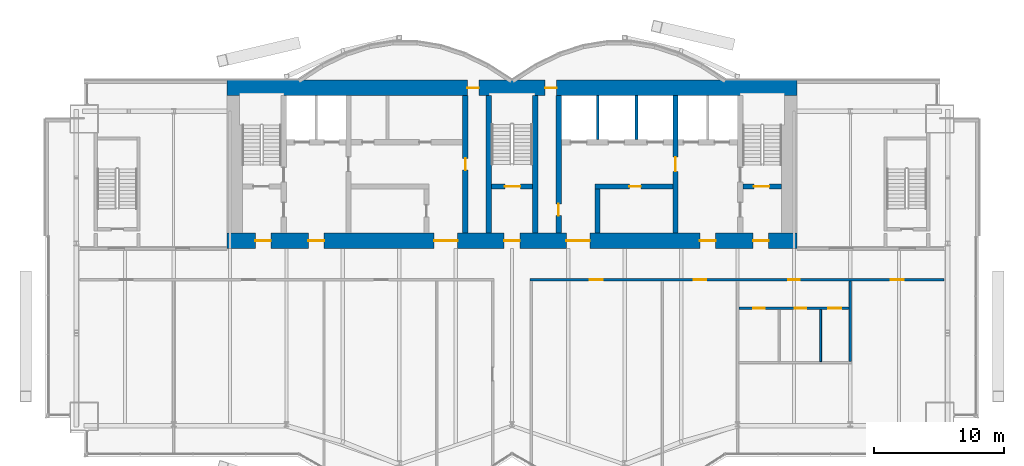
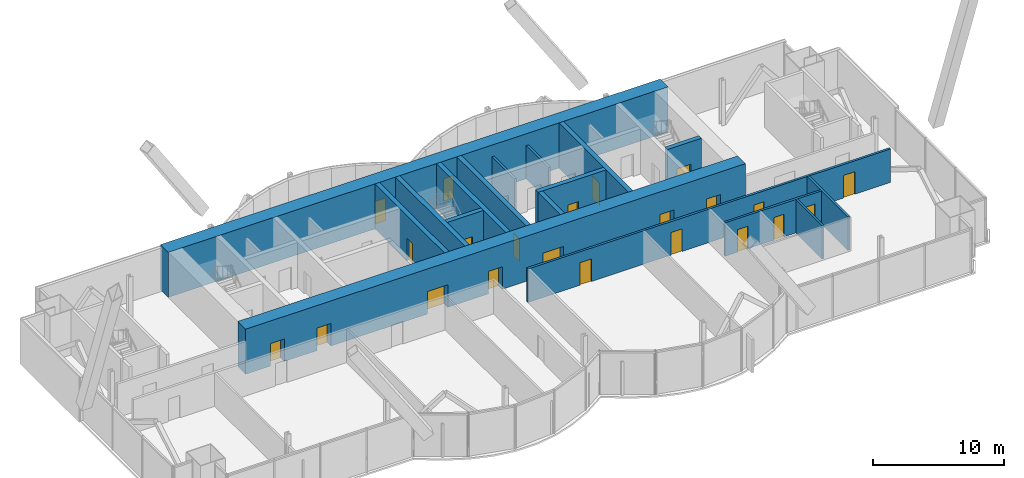
# One storey, part 18 of 23: 22 doors, 17 walls, 22 openings.
"""IFC4 building model written with IfcOpenShell, lengths in metres."""

from ifc_helpers import new_model, si_unit, direction, frame, frame_2d, origin, place, context, subcontext, project, spatial, rectangle, extrude, material, layer, layer_set, type_object, element, fill, save


model = new_model("IFC4")

# Units and contexts
model_context = context("Model", 3, precision=1e-05, world=origin(), true_north=direction((0.0, 1.0)))
body_context = subcontext(model_context, "Body", "Model", "MODEL_VIEW")
ifc_project = project(units=[si_unit("LENGTHUNIT", "METRE"), si_unit("AREAUNIT", "SQUARE_METRE"), si_unit("VOLUMEUNIT", "CUBIC_METRE"), si_unit("PLANEANGLEUNIT", "RADIAN"), si_unit("MASSUNIT", "GRAM", prefix="KILO")], contexts=[model_context])

# Site, building, storey
site_placement = place(None, origin())
site = spatial("IfcSite", under=ifc_project, at=site_placement, CompositionType="ELEMENT")
building_placement = place(site_placement, origin())
building = spatial("IfcBuilding", under=site, at=building_placement, Name="Bicima Exchange Tower", CompositionType="ELEMENT")
storey_placement = place(building_placement, frame((0.0, 0.0, 262.39990234375)))
storey = spatial("IfcBuildingStorey", under=building, at=storey_placement, Name="L59", CompositionType="ELEMENT", Elevation=262.39990234375)

# Walls
ifc_material_1 = material(Name="Gypsum board partition")
ifc_layer_1 = layer(ifc_material_1, 0.199951171875)
ifc_layer_set_1 = layer_set([ifc_layer_1], Name="Gypsum board partition")
wall_type_1 = type_object("IfcWallType", Name="Fire-rated gypsum partition 200 EI120", PredefinedType="PARTITIONING", material=ifc_layer_set_1)
for number, where, z_axis, x_axis, name in (
    (1, (6.60009765625, -4.60009765625, 0.0), (0.0, 0.0, 1.0), (0.0, 1.0, 0.0), "partition wall 18"),
    (2, (9.60009765625, -4.60009765625, 0.0), (0.0, 0.0, 1.0), (0.0, 1.0, 0.0), "partition wall 19"),
):
    element("IfcWall", number, at=place(storey_placement, frame(where, z_axis=z_axis, x_axis=x_axis)), inside=storey, type_object=wall_type_1, Name=name, PredefinedType="PARTITIONING", context=body_context, shape_type="SweptSolid", body=[
        extrude(rectangle(XDim=3.400146484375, YDim=0.199951171875, at=frame_2d((1.7001953125, 0.0))), origin(), (0.0, 0.0, 1.0), 3.118408203125),
    ])

# Wall, openings, doors
ifc_layer_2 = layer(ifc_material_1, 0.199951171875)
ifc_layer_set_2 = layer_set([ifc_layer_2], Name="Gypsum board partition")
wall_type_2 = type_object("IfcWallType", Name="Fire-rated gypsum partition 200 EI60", PredefinedType="PARTITIONING", material=ifc_layer_set_2)
wall_1_placement = place(storey_placement, frame((17.5, -17.60009765625, 0.0), z_axis=(0.0, 0.0, 1.0), x_axis=(1.0, 0.0, 0.0)))
wall_1 = element("IfcWall", 3, at=wall_1_placement, inside=storey, type_object=wall_type_2, Name="partition wall 2", PredefinedType="PARTITIONING", context=body_context, shape_type="SweptSolid", body=[
    extrude(rectangle(XDim=8.5, YDim=0.199951171875, at=frame_2d((4.25, 0.0))), origin(), (0.0, 0.0, 1.0), 3.118408203125),
])
opening_1_placement = place(wall_1_placement, frame((1.10009765625, 0.0, 0.0)))
opening_1 = element("IfcOpeningElement", 4, at=opening_1_placement, cuts=wall_1, Name="Opening L59-014", PredefinedType="OPENING", context=body_context, shape_type="SweptSolid", body=[
    extrude(rectangle(XDim=0.89990234375, YDim=2.10009765625, at=frame_2d((0.449951171875, 1.050048828125))), frame((0.0, 0.11181640625, 0.0), z_axis=(0.0, -1.0, 0.0), x_axis=(1.0, 0.0, 0.0)), (0.0, 0.0, 1.0), 0.223876953125),
])
opening_2_placement = place(wall_1_placement, frame((4.300048828125, 0.0, 0.0)))
opening_2 = element("IfcOpeningElement", 5, at=opening_2_placement, cuts=wall_1, Name="Opening L59-015", PredefinedType="OPENING", context=body_context, shape_type="SweptSolid", body=[
    extrude(rectangle(XDim=0.89990234375, YDim=2.10009765625, at=frame_2d((0.449951171875, 1.050048828125))), frame((0.0, 0.11181640625, 0.0), z_axis=(0.0, -1.0, 0.0), x_axis=(1.0, 0.0, 0.0)), (0.0, 0.0, 1.0), 0.223876953125),
])
opening_3_placement = place(wall_1_placement, frame((6.89990234375, 0.0, 0.0)))
opening_3 = element("IfcOpeningElement", 6, at=opening_3_placement, cuts=wall_1, Name="Opening L59-016", PredefinedType="OPENING", context=body_context, shape_type="SweptSolid", body=[
    extrude(rectangle(XDim=1.0, YDim=2.10009765625, at=frame_2d((0.5, 1.050048828125))), frame((0.0, 0.11181640625, 0.0), z_axis=(0.0, -1.0, 0.0), x_axis=(1.0, 0.0, 0.0)), (0.0, 0.0, 1.0), 0.223876953125),
])
ifc_material_2 = material(Name="Steel fire door leaf", Category="steel")
door_type_1 = type_object("IfcDoorType", Name="Door 1000 swing FD30S", OperationType="SINGLE_SWING_LEFT", PredefinedType="DOOR", material=ifc_material_2)
door_1_placement = place(opening_3_placement, frame((1.0, 0.0, 0.0), z_axis=(0.0, 0.0, 1.0), x_axis=(-1.0, 0.0, 0.0)))
door_1 = element("IfcDoor", 7, at=door_1_placement, inside=storey, type_object=door_type_1, Name="Door", OperationType="SINGLE_SWING_LEFT", OverallHeight=2.10009765625, OverallWidth=1.0, PredefinedType="DOOR", context=body_context, shape_type="SweptSolid", body=[
    extrude(rectangle(XDim=1.0, YDim=2.10009765625, at=frame_2d((0.5, 1.050048828125))), frame((0.0, 0.02490234375, 0.0), z_axis=(0.0, -1.0, 0.0), x_axis=(1.0, 0.0, 0.0)), (0.0, 0.0, 1.0), 0.050048828125),
])
fill(opening_3, door_1)
door_type_2 = type_object("IfcDoorType", Name="Door 900 swing FD30S", OperationType="SINGLE_SWING_LEFT", PredefinedType="DOOR", material=ifc_material_2)
door_2_placement = place(opening_1_placement, frame((0.89990234375, 0.0, 0.0), z_axis=(0.0, 0.0, 1.0), x_axis=(-1.0, 0.0, 0.0)))
door_2 = element("IfcDoor", 8, at=door_2_placement, inside=storey, type_object=door_type_2, Name="Door", OperationType="SINGLE_SWING_RIGHT", OverallHeight=2.10009765625, OverallWidth=0.89990234375, PredefinedType="DOOR", context=body_context, shape_type="SweptSolid", body=[
    extrude(rectangle(XDim=0.89990234375, YDim=2.10009765625, at=frame_2d((0.449951171875, 1.050048828125))), frame((0.0, 0.02490234375, 0.0), z_axis=(0.0, -1.0, 0.0), x_axis=(1.0, 0.0, 0.0)), (0.0, 0.0, 1.0), 0.050048828125),
])
fill(opening_1, door_2)
door_3_placement = place(opening_2_placement, frame((0.89990234375, 0.0, 0.0), z_axis=(0.0, 0.0, 1.0), x_axis=(-1.0, 0.0, 0.0)))
door_3 = element("IfcDoor", 9, at=door_3_placement, inside=storey, type_object=door_type_2, Name="Door", OperationType="SINGLE_SWING_RIGHT", OverallHeight=2.10009765625, OverallWidth=0.89990234375, PredefinedType="DOOR", context=body_context, shape_type="SweptSolid", body=[
    extrude(rectangle(XDim=0.89990234375, YDim=2.10009765625, at=frame_2d((0.449951171875, 1.050048828125))), frame((0.0, 0.02490234375, 0.0), z_axis=(0.0, -1.0, 0.0), x_axis=(1.0, 0.0, 0.0)), (0.0, 0.0, 1.0), 0.050048828125),
])
fill(opening_2, door_3)

wall_2_placement = place(storey_placement, frame((1.39990234375, -15.39990234375, 0.0), z_axis=(0.0, 0.0, 1.0), x_axis=(1.0, 0.0, 0.0)))
wall_2 = element("IfcWall", 10, at=wall_2_placement, inside=storey, type_object=wall_type_2, Name="partition wall 4", PredefinedType="PARTITIONING", context=body_context, shape_type="SweptSolid", body=[
    extrude(rectangle(XDim=31.940185546875, YDim=0.199951171875, at=frame_2d((15.97021484375, 0.0))), origin(), (0.0, 0.0, 1.0), 3.118408203125),
])
opening_4_placement = place(wall_2_placement, frame((4.60009765625, 0.0, 0.0)))
opening_4 = element("IfcOpeningElement", 11, at=opening_4_placement, cuts=wall_2, Name="Opening L59-011", PredefinedType="OPENING", context=body_context, shape_type="SweptSolid", body=[
    extrude(rectangle(XDim=1.0, YDim=2.10009765625, at=frame_2d((0.5, 1.050048828125))), frame((0.0, 0.11181640625, 0.0), z_axis=(0.0, -1.0, 0.0), x_axis=(1.0, 0.0, 0.0)), (0.0, 0.0, 1.0), 0.223876953125),
])
opening_5_placement = place(wall_2_placement, frame((12.60009765625, 0.0, 0.0)))
opening_5 = element("IfcOpeningElement", 12, at=opening_5_placement, cuts=wall_2, Name="Opening L59-012", PredefinedType="OPENING", context=body_context, shape_type="SweptSolid", body=[
    extrude(rectangle(XDim=1.0, YDim=2.10009765625, at=frame_2d((0.5, 1.050048828125))), frame((0.0, 0.11181640625, 0.0), z_axis=(0.0, -1.0, 0.0), x_axis=(1.0, 0.0, 0.0)), (0.0, 0.0, 1.0), 0.223876953125),
])
opening_6_placement = place(wall_2_placement, frame((19.89990234375, 0.0, 0.0)))
opening_6 = element("IfcOpeningElement", 13, at=opening_6_placement, cuts=wall_2, Name="Opening L59-013", PredefinedType="OPENING", context=body_context, shape_type="SweptSolid", body=[
    extrude(rectangle(XDim=0.89990234375, YDim=2.10009765625, at=frame_2d((0.449951171875, 1.050048828125))), frame((0.0, 0.11181640625, 0.0), z_axis=(0.0, -1.0, 0.0), x_axis=(1.0, 0.0, 0.0)), (0.0, 0.0, 1.0), 0.223876953125),
])
opening_7_placement = place(wall_2_placement, frame((27.800048828125, 0.0, 0.0)))
opening_7 = element("IfcOpeningElement", 14, at=opening_7_placement, cuts=wall_2, Name="Opening L59-017", PredefinedType="OPENING", context=body_context, shape_type="SweptSolid", body=[
    extrude(rectangle(XDim=1.0, YDim=2.10009765625, at=frame_2d((0.5, 1.050048828125))), frame((0.0, 0.11181640625, 0.0), z_axis=(0.0, -1.0, 0.0), x_axis=(1.0, 0.0, 0.0)), (0.0, 0.0, 1.0), 0.223876953125),
])
door_4_placement = place(opening_4_placement, frame((1.0, 0.0, 0.0), z_axis=(0.0, 0.0, 1.0), x_axis=(-1.0, 0.0, 0.0)))
door_4 = element("IfcDoor", 15, at=door_4_placement, inside=storey, type_object=door_type_1, Name="Door", OperationType="SINGLE_SWING_RIGHT", OverallHeight=2.10009765625, OverallWidth=1.0, PredefinedType="DOOR", context=body_context, shape_type="SweptSolid", body=[
    extrude(rectangle(XDim=1.0, YDim=2.10009765625, at=frame_2d((0.5, 1.050048828125))), frame((0.0, 0.02490234375, 0.0), z_axis=(0.0, -1.0, 0.0), x_axis=(1.0, 0.0, 0.0)), (0.0, 0.0, 1.0), 0.050048828125),
])
fill(opening_4, door_4)
door_5_placement = place(opening_5_placement, frame((1.0, 0.0, 0.0), z_axis=(0.0, 0.0, 1.0), x_axis=(-1.0, 0.0, 0.0)))
door_5 = element("IfcDoor", 16, at=door_5_placement, inside=storey, type_object=door_type_1, Name="Door", OperationType="SINGLE_SWING_RIGHT", OverallHeight=2.10009765625, OverallWidth=1.0, PredefinedType="DOOR", context=body_context, shape_type="SweptSolid", body=[
    extrude(rectangle(XDim=1.0, YDim=2.10009765625, at=frame_2d((0.5, 1.050048828125))), frame((0.0, 0.02490234375, 0.0), z_axis=(0.0, -1.0, 0.0), x_axis=(1.0, 0.0, 0.0)), (0.0, 0.0, 1.0), 0.050048828125),
])
fill(opening_5, door_5)
door_6_placement = place(opening_7_placement, frame((1.0, 0.0, 0.0), z_axis=(0.0, 0.0, 1.0), x_axis=(-1.0, 0.0, 0.0)))
door_6 = element("IfcDoor", 17, at=door_6_placement, inside=storey, type_object=door_type_1, Name="Door", OperationType="SINGLE_SWING_RIGHT", OverallHeight=2.10009765625, OverallWidth=1.0, PredefinedType="DOOR", context=body_context, shape_type="SweptSolid", body=[
    extrude(rectangle(XDim=1.0, YDim=2.10009765625, at=frame_2d((0.5, 1.050048828125))), frame((0.0, 0.02490234375, 0.0), z_axis=(0.0, -1.0, 0.0), x_axis=(1.0, 0.0, 0.0)), (0.0, 0.0, 1.0), 0.050048828125),
])
fill(opening_7, door_6)
door_7_placement = place(opening_6_placement, frame((0.89990234375, 0.0, 0.0), z_axis=(0.0, 0.0, 1.0), x_axis=(-1.0, 0.0, 0.0)))
door_7 = element("IfcDoor", 18, at=door_7_placement, inside=storey, type_object=door_type_2, Name="Door", OperationType="SINGLE_SWING_LEFT", OverallHeight=2.10009765625, OverallWidth=0.89990234375, PredefinedType="DOOR", context=body_context, shape_type="SweptSolid", body=[
    extrude(rectangle(XDim=0.89990234375, YDim=2.10009765625, at=frame_2d((0.449951171875, 1.050048828125))), frame((0.0, 0.02490234375, 0.0), z_axis=(0.0, -1.0, 0.0), x_axis=(1.0, 0.0, 0.0)), (0.0, 0.0, 1.0), 0.050048828125),
])
fill(opening_6, door_7)

# Walls
wall_3_placement = place(storey_placement, frame((26.10009765625, -21.72509765625, 0.0), z_axis=(0.0, 0.0, 1.0), x_axis=(0.0, 1.0, 0.0)))
element("IfcWall", 19, at=wall_3_placement, inside=storey, type_object=wall_type_2, Name="partition wall 25", PredefinedType="PARTITIONING", context=body_context, shape_type="SweptSolid", body=[
    extrude(rectangle(XDim=6.22509765625, YDim=0.199951171875, at=frame_2d((3.112548828125, 0.0))), origin(), (0.0, 0.0, 1.0), 3.118408203125),
])
ifc_layer_3 = layer(ifc_material_1, 0.14990234375)
ifc_layer_set_3 = layer_set([ifc_layer_3], Name="Gypsum board partition")
wall_type_3 = type_object("IfcWallType", Name="Gypsum partition 150", PredefinedType="PARTITIONING", material=ifc_layer_set_3)
wall_4_placement = place(storey_placement, frame((23.800048828125, -21.72509765625, 0.0), z_axis=(0.0, 0.0, 1.0), x_axis=(0.0, 1.0, 0.0)))
element("IfcWall", 20, at=wall_4_placement, inside=storey, type_object=wall_type_3, Name="partition wall 24", PredefinedType="PARTITIONING", context=body_context, shape_type="SweptSolid", body=[
    extrude(rectangle(XDim=4.025146484375, YDim=0.14990234375, at=frame_2d((2.0126953125, 0.0))), origin(), (0.0, 0.0, 1.0), 3.118408203125),
])

# Wall, openings, doors
ifc_material_3 = material(Name="Concrete C40/50", Category="concrete")
ifc_layer_4 = layer(ifc_material_3, 1.199951171875)
ifc_layer_set_4 = layer_set([ifc_layer_4], Name="Concrete C40/50")
wall_type_4 = type_object("IfcWallType", Name="RC core wall 1200 C40/50", PredefinedType="SHEAR", material=ifc_layer_set_4)
wall_5_placement = place(storey_placement, frame((-22.0, -0.60009765625, 0.0), z_axis=(0.0, 0.0, 1.0), x_axis=(1.0, 0.0, 0.0)))
wall_5 = element("IfcWall", 21, at=wall_5_placement, inside=storey, type_object=wall_type_4, Name="Core wall north", PredefinedType="SHEAR", context=body_context, shape_type="SweptSolid", body=[
    extrude(rectangle(XDim=44.0, YDim=1.199951171875, at=frame_2d((22.0, 0.0))), origin(), (0.0, 0.0, 1.0), 4.2001953125),
])
opening_8_placement = place(wall_5_placement, frame((18.550048828125, 0.0, 0.0)))
opening_8 = element("IfcOpeningElement", 22, at=opening_8_placement, cuts=wall_5, Name="Opening L59-C16", PredefinedType="OPENING", context=body_context, shape_type="SweptSolid", body=[
    extrude(rectangle(XDim=0.89990234375, YDim=2.10009765625, at=frame_2d((0.449951171875, 1.050048828125))), frame((0.0, 0.61181640625, 0.0), z_axis=(0.0, -1.0, 0.0), x_axis=(1.0, 0.0, 0.0)), (0.0, 0.0, 1.0), 1.223876953125),
])
opening_9_placement = place(wall_5_placement, frame((24.550048828125, 0.0, 0.0)))
opening_9 = element("IfcOpeningElement", 23, at=opening_9_placement, cuts=wall_5, Name="Opening L59-C17", PredefinedType="OPENING", context=body_context, shape_type="SweptSolid", body=[
    extrude(rectangle(XDim=0.89990234375, YDim=2.10009765625, at=frame_2d((0.449951171875, 1.050048828125))), frame((0.0, 0.61181640625, 0.0), z_axis=(0.0, -1.0, 0.0), x_axis=(1.0, 0.0, 0.0)), (0.0, 0.0, 1.0), 1.223876953125),
])
door_8_placement = place(opening_8_placement, origin())
door_8 = element("IfcDoor", 24, at=door_8_placement, inside=storey, type_object=door_type_2, Name="Core door", OperationType="SINGLE_SWING_LEFT", OverallHeight=2.10009765625, OverallWidth=0.89990234375, PredefinedType="DOOR", context=body_context, shape_type="SweptSolid", body=[
    extrude(rectangle(XDim=0.89990234375, YDim=2.10009765625, at=frame_2d((0.449951171875, 1.050048828125))), frame((0.0, 0.02490234375, 0.0), z_axis=(0.0, -1.0, 0.0), x_axis=(1.0, 0.0, 0.0)), (0.0, 0.0, 1.0), 0.050048828125),
])
fill(opening_8, door_8)
door_9_placement = place(opening_9_placement, origin())
door_9 = element("IfcDoor", 25, at=door_9_placement, inside=storey, type_object=door_type_2, Name="Core door", OperationType="SINGLE_SWING_LEFT", OverallHeight=2.10009765625, OverallWidth=0.89990234375, PredefinedType="DOOR", context=body_context, shape_type="SweptSolid", body=[
    extrude(rectangle(XDim=0.89990234375, YDim=2.10009765625, at=frame_2d((0.449951171875, 1.050048828125))), frame((0.0, 0.02490234375, 0.0), z_axis=(0.0, -1.0, 0.0), x_axis=(1.0, 0.0, 0.0)), (0.0, 0.0, 1.0), 0.050048828125),
])
fill(opening_9, door_9)

wall_6_placement = place(storey_placement, frame((-22.0, -12.39990234375, 0.0), z_axis=(0.0, 0.0, 1.0), x_axis=(1.0, 0.0, 0.0)))
wall_6 = element("IfcWall", 26, at=wall_6_placement, inside=storey, type_object=wall_type_4, Name="Core wall south", PredefinedType="SHEAR", context=body_context, shape_type="SweptSolid", body=[
    extrude(rectangle(XDim=44.0, YDim=1.199951171875, at=frame_2d((22.0, 0.0))), origin(), (0.0, 0.0, 1.0), 4.2001953125),
])
opening_10_placement = place(wall_6_placement, frame((2.199951171875, 0.0, 0.0)))
opening_10 = element("IfcOpeningElement", 27, at=opening_10_placement, cuts=wall_6, Name="Opening L59-C18", PredefinedType="OPENING", context=body_context, shape_type="SweptSolid", body=[
    extrude(rectangle(XDim=1.199951171875, YDim=2.10009765625, at=frame_2d((0.60009765625, 1.050048828125))), frame((0.0, 0.61181640625, 0.0), z_axis=(0.0, -1.0, 0.0), x_axis=(1.0, 0.0, 0.0)), (0.0, 0.0, 1.0), 1.223876953125),
])
opening_11_placement = place(wall_6_placement, frame((21.39990234375, 0.0, 0.0)))
opening_11 = element("IfcOpeningElement", 28, at=opening_11_placement, cuts=wall_6, Name="Opening L59-C19", PredefinedType="OPENING", context=body_context, shape_type="SweptSolid", body=[
    extrude(rectangle(XDim=1.199951171875, YDim=2.10009765625, at=frame_2d((0.60009765625, 1.050048828125))), frame((0.0, 0.61181640625, 0.0), z_axis=(0.0, -1.0, 0.0), x_axis=(1.0, 0.0, 0.0)), (0.0, 0.0, 1.0), 1.223876953125),
])
opening_12_placement = place(wall_6_placement, frame((40.60009765625, 0.0, 0.0)))
opening_12 = element("IfcOpeningElement", 29, at=opening_12_placement, cuts=wall_6, Name="Opening L59-C20", PredefinedType="OPENING", context=body_context, shape_type="SweptSolid", body=[
    extrude(rectangle(XDim=1.199951171875, YDim=2.10009765625, at=frame_2d((0.60009765625, 1.050048828125))), frame((0.0, 0.61181640625, 0.0), z_axis=(0.0, -1.0, 0.0), x_axis=(1.0, 0.0, 0.0)), (0.0, 0.0, 1.0), 1.223876953125),
])
opening_13_placement = place(wall_6_placement, frame((16.0, 0.0, 0.0)))
opening_13 = element("IfcOpeningElement", 30, at=opening_13_placement, cuts=wall_6, Name="Opening L59-C21", PredefinedType="OPENING", context=body_context, shape_type="SweptSolid", body=[
    extrude(rectangle(XDim=1.800048828125, YDim=2.10009765625, at=frame_2d((0.89990234375, 1.050048828125))), frame((0.0, 0.61181640625, 0.0), z_axis=(0.0, -1.0, 0.0), x_axis=(1.0, 0.0, 0.0)), (0.0, 0.0, 1.0), 1.223876953125),
])
opening_14_placement = place(wall_6_placement, frame((6.300048828125, 0.0, 0.0)))
opening_14 = element("IfcOpeningElement", 31, at=opening_14_placement, cuts=wall_6, Name="Opening L59-C22", PredefinedType="OPENING", context=body_context, shape_type="SweptSolid", body=[
    extrude(rectangle(XDim=1.199951171875, YDim=2.10009765625, at=frame_2d((0.60009765625, 1.050048828125))), frame((0.0, 0.61181640625, 0.0), z_axis=(0.0, -1.0, 0.0), x_axis=(1.0, 0.0, 0.0)), (0.0, 0.0, 1.0), 1.223876953125),
])
opening_15_placement = place(wall_6_placement, frame((26.199951171875, 0.0, 0.0)))
opening_15 = element("IfcOpeningElement", 32, at=opening_15_placement, cuts=wall_6, Name="Opening L59-C23", PredefinedType="OPENING", context=body_context, shape_type="SweptSolid", body=[
    extrude(rectangle(XDim=1.800048828125, YDim=2.10009765625, at=frame_2d((0.89990234375, 1.050048828125))), frame((0.0, 0.61181640625, 0.0), z_axis=(0.0, -1.0, 0.0), x_axis=(1.0, 0.0, 0.0)), (0.0, 0.0, 1.0), 1.223876953125),
])
opening_16_placement = place(wall_6_placement, frame((36.5, 0.0, 0.0)))
opening_16 = element("IfcOpeningElement", 33, at=opening_16_placement, cuts=wall_6, Name="Opening L59-C24", PredefinedType="OPENING", context=body_context, shape_type="SweptSolid", body=[
    extrude(rectangle(XDim=1.199951171875, YDim=2.10009765625, at=frame_2d((0.60009765625, 1.050048828125))), frame((0.0, 0.61181640625, 0.0), z_axis=(0.0, -1.0, 0.0), x_axis=(1.0, 0.0, 0.0)), (0.0, 0.0, 1.0), 1.223876953125),
])
door_type_3 = type_object("IfcDoorType", Name="Door 1200 swing FD60S", OperationType="SINGLE_SWING_LEFT", PredefinedType="DOOR", material=ifc_material_2)
door_10_placement = place(opening_10_placement, frame((1.199951171875, 0.0, 0.0), z_axis=(0.0, 0.0, 1.0), x_axis=(-1.0, 0.0, 0.0)))
door_10 = element("IfcDoor", 34, at=door_10_placement, inside=storey, type_object=door_type_3, Name="Core door", OperationType="SINGLE_SWING_RIGHT", OverallHeight=2.10009765625, OverallWidth=1.199951171875, PredefinedType="DOOR", context=body_context, shape_type="SweptSolid", body=[
    extrude(rectangle(XDim=1.199951171875, YDim=2.10009765625, at=frame_2d((0.60009765625, 1.050048828125))), frame((0.0, 0.02490234375, 0.0), z_axis=(0.0, -1.0, 0.0), x_axis=(1.0, 0.0, 0.0)), (0.0, 0.0, 1.0), 0.050048828125),
])
fill(opening_10, door_10)
door_11_placement = place(opening_11_placement, frame((1.199951171875, 0.0, 0.0), z_axis=(0.0, 0.0, 1.0), x_axis=(-1.0, 0.0, 0.0)))
door_11 = element("IfcDoor", 35, at=door_11_placement, inside=storey, type_object=door_type_3, Name="Core door", OperationType="SINGLE_SWING_RIGHT", OverallHeight=2.10009765625, OverallWidth=1.199951171875, PredefinedType="DOOR", context=body_context, shape_type="SweptSolid", body=[
    extrude(rectangle(XDim=1.199951171875, YDim=2.10009765625, at=frame_2d((0.60009765625, 1.050048828125))), frame((0.0, 0.02490234375, 0.0), z_axis=(0.0, -1.0, 0.0), x_axis=(1.0, 0.0, 0.0)), (0.0, 0.0, 1.0), 0.050048828125),
])
fill(opening_11, door_11)
door_12_placement = place(opening_12_placement, frame((1.199951171875, 0.0, 0.0), z_axis=(0.0, 0.0, 1.0), x_axis=(-1.0, 0.0, 0.0)))
door_12 = element("IfcDoor", 36, at=door_12_placement, inside=storey, type_object=door_type_3, Name="Core door", OperationType="SINGLE_SWING_RIGHT", OverallHeight=2.10009765625, OverallWidth=1.199951171875, PredefinedType="DOOR", context=body_context, shape_type="SweptSolid", body=[
    extrude(rectangle(XDim=1.199951171875, YDim=2.10009765625, at=frame_2d((0.60009765625, 1.050048828125))), frame((0.0, 0.02490234375, 0.0), z_axis=(0.0, -1.0, 0.0), x_axis=(1.0, 0.0, 0.0)), (0.0, 0.0, 1.0), 0.050048828125),
])
fill(opening_12, door_12)
door_13_placement = place(opening_14_placement, frame((1.199951171875, 0.0, 0.0), z_axis=(0.0, 0.0, 1.0), x_axis=(-1.0, 0.0, 0.0)))
door_13 = element("IfcDoor", 37, at=door_13_placement, inside=storey, type_object=door_type_3, Name="Core door", OperationType="SINGLE_SWING_RIGHT", OverallHeight=2.10009765625, OverallWidth=1.199951171875, PredefinedType="DOOR", context=body_context, shape_type="SweptSolid", body=[
    extrude(rectangle(XDim=1.199951171875, YDim=2.10009765625, at=frame_2d((0.60009765625, 1.050048828125))), frame((0.0, 0.02490234375, 0.0), z_axis=(0.0, -1.0, 0.0), x_axis=(1.0, 0.0, 0.0)), (0.0, 0.0, 1.0), 0.050048828125),
])
fill(opening_14, door_13)
door_14_placement = place(opening_16_placement, frame((1.199951171875, 0.0, 0.0), z_axis=(0.0, 0.0, 1.0), x_axis=(-1.0, 0.0, 0.0)))
door_14 = element("IfcDoor", 38, at=door_14_placement, inside=storey, type_object=door_type_3, Name="Core door", OperationType="SINGLE_SWING_RIGHT", OverallHeight=2.10009765625, OverallWidth=1.199951171875, PredefinedType="DOOR", context=body_context, shape_type="SweptSolid", body=[
    extrude(rectangle(XDim=1.199951171875, YDim=2.10009765625, at=frame_2d((0.60009765625, 1.050048828125))), frame((0.0, 0.02490234375, 0.0), z_axis=(0.0, -1.0, 0.0), x_axis=(1.0, 0.0, 0.0)), (0.0, 0.0, 1.0), 0.050048828125),
])
fill(opening_16, door_14)
door_type_4 = type_object("IfcDoorType", Name="Door 1800 double swing FD30S", OperationType="DOUBLE_DOOR_SINGLE_SWING", PredefinedType="DOOR", material=ifc_material_2)
door_15_placement = place(opening_13_placement, origin())
door_15 = element("IfcDoor", 39, at=door_15_placement, inside=storey, type_object=door_type_4, Name="Core door", OperationType="SINGLE_SWING_LEFT", OverallHeight=2.10009765625, OverallWidth=1.800048828125, PredefinedType="DOOR", context=body_context, shape_type="SweptSolid", body=[
    extrude(rectangle(XDim=1.800048828125, YDim=2.10009765625, at=frame_2d((0.89990234375, 1.050048828125))), frame((0.0, 0.02490234375, 0.0), z_axis=(0.0, -1.0, 0.0), x_axis=(1.0, 0.0, 0.0)), (0.0, 0.0, 1.0), 0.050048828125),
])
fill(opening_13, door_15)
door_16_placement = place(opening_15_placement, origin())
door_16 = element("IfcDoor", 40, at=door_16_placement, inside=storey, type_object=door_type_4, Name="Core door", OperationType="SINGLE_SWING_LEFT", OverallHeight=2.10009765625, OverallWidth=1.800048828125, PredefinedType="DOOR", context=body_context, shape_type="SweptSolid", body=[
    extrude(rectangle(XDim=1.800048828125, YDim=2.10009765625, at=frame_2d((0.89990234375, 1.050048828125))), frame((0.0, 0.02490234375, 0.0), z_axis=(0.0, -1.0, 0.0), x_axis=(1.0, 0.0, 0.0)), (0.0, 0.0, 1.0), 0.050048828125),
])
fill(opening_15, door_16)

# Wall, opening, door
ifc_layer_5 = layer(ifc_material_3, 0.39990234375)
ifc_layer_set_5 = layer_set([ifc_layer_5], Name="Concrete C40/50")
wall_type_5 = type_object("IfcWallType", Name="RC core wall 400 C40/50", PredefinedType="SHEAR", material=ifc_layer_set_5)
wall_7_placement = place(storey_placement, frame((6.39990234375, -8.199951171875, 0.0), z_axis=(0.0, 0.0, 1.0), x_axis=(1.0, 0.0, 0.0)))
wall_7 = element("IfcWall", 41, at=wall_7_placement, inside=storey, type_object=wall_type_5, Name="shear wall 4", PredefinedType="SHEAR", context=body_context, shape_type="SweptSolid", body=[
    extrude(rectangle(XDim=6.0, YDim=0.39990234375, at=frame_2d((3.0, 0.0))), origin(), (0.0, 0.0, 1.0), 4.2001953125),
])
opening_17_placement = place(wall_7_placement, frame((2.64990234375, 0.0, 0.0)))
opening_17 = element("IfcOpeningElement", 42, at=opening_17_placement, cuts=wall_7, Name="Opening L59-C15", PredefinedType="OPENING", context=body_context, shape_type="SweptSolid", body=[
    extrude(rectangle(XDim=0.89990234375, YDim=2.10009765625, at=frame_2d((0.449951171875, 1.050048828125))), frame((0.0, 0.2119140625, 0.0), z_axis=(0.0, -1.0, 0.0), x_axis=(1.0, 0.0, 0.0)), (0.0, 0.0, 1.0), 0.423828125),
])
door_17_placement = place(opening_17_placement, frame((0.89990234375, 0.0, 0.0), z_axis=(0.0, 0.0, 1.0), x_axis=(-1.0, 0.0, 0.0)))
door_17 = element("IfcDoor", 43, at=door_17_placement, inside=storey, type_object=door_type_2, Name="Core door", OperationType="SINGLE_SWING_RIGHT", OverallHeight=2.10009765625, OverallWidth=0.89990234375, PredefinedType="DOOR", context=body_context, shape_type="SweptSolid", body=[
    extrude(rectangle(XDim=0.89990234375, YDim=2.10009765625, at=frame_2d((0.449951171875, 1.050048828125))), frame((0.0, 0.02490234375, 0.0), z_axis=(0.0, -1.0, 0.0), x_axis=(1.0, 0.0, 0.0)), (0.0, 0.0, 1.0), 0.050048828125),
])
fill(opening_17, door_17)

wall_8_placement = place(storey_placement, frame((-3.60009765625, -11.800048828125, 0.0), z_axis=(0.0, 0.0, 1.0), x_axis=(0.0, 1.0, 0.0)))
wall_8 = element("IfcWall", 44, at=wall_8_placement, inside=storey, type_object=wall_type_5, Name="shear wall 13", PredefinedType="SHEAR", context=body_context, shape_type="SweptSolid", body=[
    extrude(rectangle(XDim=10.60009765625, YDim=0.39990234375, at=frame_2d((5.300048828125, 0.0))), origin(), (0.0, 0.0, 1.0), 4.2001953125),
])
opening_18_placement = place(wall_8_placement, frame((4.85009765625, 0.0, 0.0)))
opening_18 = element("IfcOpeningElement", 45, at=opening_18_placement, cuts=wall_8, Name="Opening L59-C10", PredefinedType="OPENING", context=body_context, shape_type="SweptSolid", body=[
    extrude(rectangle(XDim=0.89990234375, YDim=2.10009765625, at=frame_2d((0.449951171875, 1.050048828125))), frame((0.0, 0.2119140625, 0.0), z_axis=(0.0, -1.0, 0.0), x_axis=(1.0, 0.0, 0.0)), (0.0, 0.0, 1.0), 0.423828125),
])
door_18_placement = place(opening_18_placement, frame((0.89990234375, 0.0, 0.0), z_axis=(0.0, 0.0, 1.0), x_axis=(-1.0, 0.0, 0.0)))
door_18 = element("IfcDoor", 46, at=door_18_placement, inside=storey, type_object=door_type_2, Name="Core door", OperationType="SINGLE_SWING_LEFT", OverallHeight=2.10009765625, OverallWidth=0.89990234375, PredefinedType="DOOR", context=body_context, shape_type="SweptSolid", body=[
    extrude(rectangle(XDim=0.89990234375, YDim=2.10009765625, at=frame_2d((0.449951171875, 1.050048828125))), frame((0.0, 0.02490234375, 0.0), z_axis=(0.0, -1.0, 0.0), x_axis=(1.0, 0.0, 0.0)), (0.0, 0.0, 1.0), 0.050048828125),
])
fill(opening_18, door_18)

wall_9_placement = place(storey_placement, frame((3.60009765625, -11.800048828125, 0.0), z_axis=(0.0, 0.0, 1.0), x_axis=(0.0, 1.0, 0.0)))
wall_9 = element("IfcWall", 47, at=wall_9_placement, inside=storey, type_object=wall_type_5, Name="shear wall 16", PredefinedType="SHEAR", context=body_context, shape_type="SweptSolid", body=[
    extrude(rectangle(XDim=10.60009765625, YDim=0.39990234375, at=frame_2d((5.300048828125, 0.0))), origin(), (0.0, 0.0, 1.0), 4.2001953125),
])
opening_19_placement = place(wall_9_placement, frame((1.35009765625, 0.0, 0.0)))
opening_19 = element("IfcOpeningElement", 48, at=opening_19_placement, cuts=wall_9, Name="Opening L59-C11", PredefinedType="OPENING", context=body_context, shape_type="SweptSolid", body=[
    extrude(rectangle(XDim=0.89990234375, YDim=2.10009765625, at=frame_2d((0.449951171875, 1.050048828125))), frame((0.0, 0.2119140625, 0.0), z_axis=(0.0, -1.0, 0.0), x_axis=(1.0, 0.0, 0.0)), (0.0, 0.0, 1.0), 0.423828125),
])
door_19_placement = place(opening_19_placement, origin())
door_19 = element("IfcDoor", 49, at=door_19_placement, inside=storey, type_object=door_type_2, Name="Core door", OperationType="SINGLE_SWING_LEFT", OverallHeight=2.10009765625, OverallWidth=0.89990234375, PredefinedType="DOOR", context=body_context, shape_type="SweptSolid", body=[
    extrude(rectangle(XDim=0.89990234375, YDim=2.10009765625, at=frame_2d((0.449951171875, 1.050048828125))), frame((0.0, 0.02490234375, 0.0), z_axis=(0.0, -1.0, 0.0), x_axis=(1.0, 0.0, 0.0)), (0.0, 0.0, 1.0), 0.050048828125),
])
fill(opening_19, door_19)

# Wall
wall_10_placement = place(storey_placement, frame((6.60009765625, -11.800048828125, 0.0), z_axis=(0.0, 0.0, 1.0), x_axis=(0.0, 1.0, 0.0)))
element("IfcWall", 50, at=wall_10_placement, inside=storey, type_object=wall_type_5, Name="shear wall 17", PredefinedType="SHEAR", context=body_context, shape_type="SweptSolid", body=[
    extrude(rectangle(XDim=3.400146484375, YDim=0.39990234375, at=frame_2d((1.7001953125, 0.0))), origin(), (0.0, 0.0, 1.0), 4.2001953125),
])

# Wall, opening, door
wall_11_placement = place(storey_placement, frame((12.60009765625, -11.800048828125, 0.0), z_axis=(0.0, 0.0, 1.0), x_axis=(0.0, 1.0, 0.0)))
wall_11 = element("IfcWall", 51, at=wall_11_placement, inside=storey, type_object=wall_type_5, Name="shear wall 20", PredefinedType="SHEAR", context=body_context, shape_type="SweptSolid", body=[
    extrude(rectangle(XDim=10.60009765625, YDim=0.39990234375, at=frame_2d((5.300048828125, 0.0))), origin(), (0.0, 0.0, 1.0), 4.2001953125),
])
opening_20_placement = place(wall_11_placement, frame((4.75, 0.0, 0.0)))
opening_20 = element("IfcOpeningElement", 52, at=opening_20_placement, cuts=wall_11, Name="Opening L59-C09", PredefinedType="OPENING", context=body_context, shape_type="SweptSolid", body=[
    extrude(rectangle(XDim=1.10009765625, YDim=2.10009765625, at=frame_2d((0.550048828125, 1.050048828125))), frame((0.0, 0.2119140625, 0.0), z_axis=(0.0, -1.0, 0.0), x_axis=(1.0, 0.0, 0.0)), (0.0, 0.0, 1.0), 0.423828125),
])
door_type_5 = type_object("IfcDoorType", Name="Door 1100 swing FD60S", OperationType="SINGLE_SWING_LEFT", PredefinedType="DOOR", material=ifc_material_2)
door_20_placement = place(opening_20_placement, frame((1.10009765625, 0.0, 0.0), z_axis=(0.0, 0.0, 1.0), x_axis=(-1.0, 0.0, 0.0)))
door_20 = element("IfcDoor", 53, at=door_20_placement, inside=storey, type_object=door_type_5, Name="Core door", OperationType="SINGLE_SWING_RIGHT", OverallHeight=2.10009765625, OverallWidth=1.10009765625, PredefinedType="DOOR", context=body_context, shape_type="SweptSolid", body=[
    extrude(rectangle(XDim=1.10009765625, YDim=2.10009765625, at=frame_2d((0.550048828125, 1.050048828125))), frame((0.0, 0.02490234375, 0.0), z_axis=(0.0, -1.0, 0.0), x_axis=(1.0, 0.0, 0.0)), (0.0, 0.0, 1.0), 0.050048828125),
])
fill(opening_20, door_20)

ifc_material_4 = material(Name="Concrete C50/60", Category="concrete")
ifc_layer_6 = layer(ifc_material_4, 0.39990234375)
ifc_layer_set_6 = layer_set([ifc_layer_6], Name="Concrete C50/60")
wall_type_6 = type_object("IfcWallType", Name="RC core wall 400 C50/60", PredefinedType="SHEAR", material=ifc_layer_set_6)
wall_12_placement = place(storey_placement, frame((-1.60009765625, -8.199951171875, 0.0), z_axis=(0.0, 0.0, 1.0), x_axis=(1.0, 0.0, 0.0)))
wall_12 = element("IfcWall", 54, at=wall_12_placement, inside=storey, type_object=wall_type_6, Name="stair wall 3", PredefinedType="SHEAR", context=body_context, shape_type="SweptSolid", body=[
    extrude(rectangle(XDim=3.2001953125, YDim=0.39990234375, at=frame_2d((1.60009765625, 0.0))), origin(), (0.0, 0.0, 1.0), 4.2001953125),
])
opening_21_placement = place(wall_12_placement, frame((1.050048828125, 0.0, 0.0)))
opening_21 = element("IfcOpeningElement", 55, at=opening_21_placement, cuts=wall_12, Name="Opening L59-C03", PredefinedType="OPENING", context=body_context, shape_type="SweptSolid", body=[
    extrude(rectangle(XDim=1.199951171875, YDim=2.10009765625, at=frame_2d((0.60009765625, 1.050048828125))), frame((0.0, 0.2119140625, 0.0), z_axis=(0.0, -1.0, 0.0), x_axis=(1.0, 0.0, 0.0)), (0.0, 0.0, 1.0), 0.423828125),
])
door_21_placement = place(opening_21_placement, origin())
door_21 = element("IfcDoor", 56, at=door_21_placement, inside=storey, type_object=door_type_3, Name="Core door", OperationType="SINGLE_SWING_LEFT", OverallHeight=2.10009765625, OverallWidth=1.199951171875, PredefinedType="DOOR", context=body_context, shape_type="SweptSolid", body=[
    extrude(rectangle(XDim=1.199951171875, YDim=2.10009765625, at=frame_2d((0.60009765625, 1.050048828125))), frame((0.0, 0.02490234375, 0.0), z_axis=(0.0, -1.0, 0.0), x_axis=(1.0, 0.0, 0.0)), (0.0, 0.0, 1.0), 0.050048828125),
])
fill(opening_21, door_21)

wall_13_placement = place(storey_placement, frame((17.800048828125, -8.199951171875, 0.0), z_axis=(0.0, 0.0, 1.0), x_axis=(1.0, 0.0, 0.0)))
wall_13 = element("IfcWall", 57, at=wall_13_placement, inside=storey, type_object=wall_type_6, Name="stair wall 5", PredefinedType="SHEAR", context=body_context, shape_type="SweptSolid", body=[
    extrude(rectangle(XDim=3.0, YDim=0.39990234375, at=frame_2d((1.5, 0.0))), origin(), (0.0, 0.0, 1.0), 4.2001953125),
])
opening_22_placement = place(wall_13_placement, frame((0.85009765625, 0.0, 0.0)))
opening_22 = element("IfcOpeningElement", 58, at=opening_22_placement, cuts=wall_13, Name="Opening L59-C04", PredefinedType="OPENING", context=body_context, shape_type="SweptSolid", body=[
    extrude(rectangle(XDim=1.199951171875, YDim=2.10009765625, at=frame_2d((0.60009765625, 1.050048828125))), frame((0.0, 0.2119140625, 0.0), z_axis=(0.0, -1.0, 0.0), x_axis=(1.0, 0.0, 0.0)), (0.0, 0.0, 1.0), 0.423828125),
])
door_22_placement = place(opening_22_placement, origin())
door_22 = element("IfcDoor", 59, at=door_22_placement, inside=storey, type_object=door_type_3, Name="Core door", OperationType="SINGLE_SWING_RIGHT", OverallHeight=2.10009765625, OverallWidth=1.199951171875, PredefinedType="DOOR", context=body_context, shape_type="SweptSolid", body=[
    extrude(rectangle(XDim=1.199951171875, YDim=2.10009765625, at=frame_2d((0.60009765625, 1.050048828125))), frame((0.0, 0.02490234375, 0.0), z_axis=(0.0, -1.0, 0.0), x_axis=(1.0, 0.0, 0.0)), (0.0, 0.0, 1.0), 0.050048828125),
])
fill(opening_22, door_22)

# Walls
for number, where, z_axis, x_axis, name in (
    (60, (-1.800048828125, -11.800048828125, 0.0), (0.0, 0.0, 1.0), (0.0, 1.0, 0.0), "stair wall 14"),
    (61, (1.800048828125, -11.800048828125, 0.0), (0.0, 0.0, 1.0), (0.0, 1.0, 0.0), "stair wall 15"),
):
    element("IfcWall", number, at=place(storey_placement, frame(where, z_axis=z_axis, x_axis=x_axis)), inside=storey, type_object=wall_type_6, Name=name, PredefinedType="SHEAR", context=body_context, shape_type="SweptSolid", body=[
        extrude(rectangle(XDim=10.60009765625, YDim=0.39990234375, at=frame_2d((5.300048828125, 0.0))), origin(), (0.0, 0.0, 1.0), 4.2001953125),
    ])

save(model, "model.ifc")
